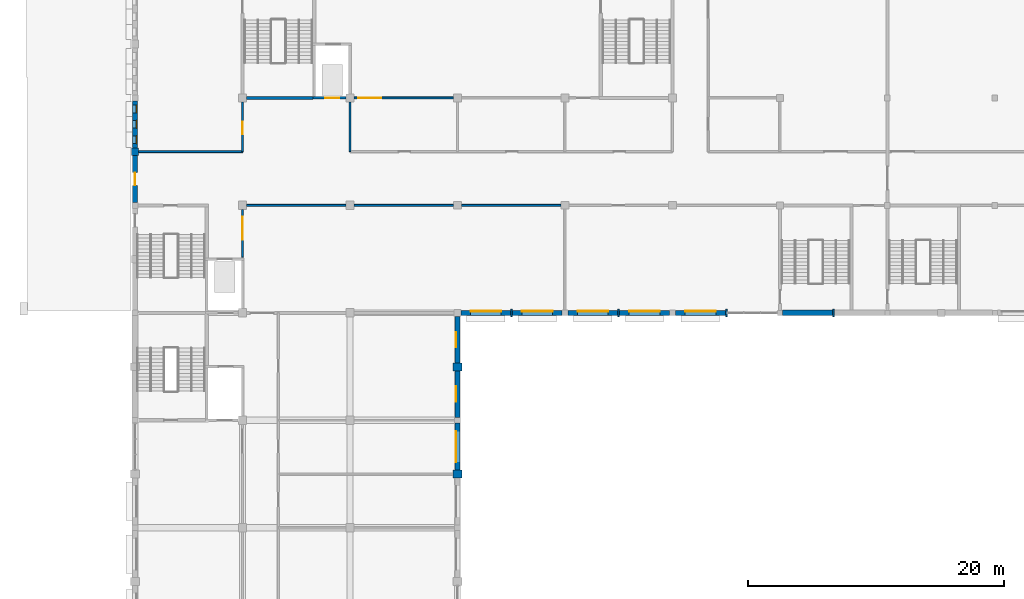
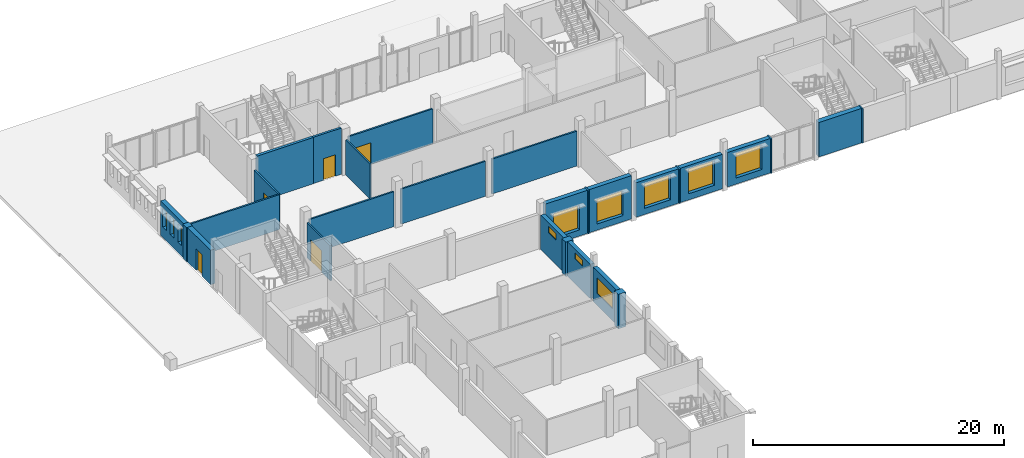
# One storey, part 79 of 101: 28 walls, 11 windows, 5 doors, 16 openings.
"""IFC4 building model written with IfcOpenShell, lengths in metres."""

from ifc_helpers import new_model, si_unit, direction, frame, frame_2d, origin, place, context, subcontext, project, spatial, rectangle, extrude, material, layer, layer_set, type_object, element, fill, save


model = new_model("IFC4")

# Units and contexts
model_context = context("Model", 3, precision=1e-05, world=origin(), true_north=direction((0.0, 1.0)))
body_context = subcontext(model_context, "Body", "Model", "MODEL_VIEW")
ifc_project = project(units=[si_unit("LENGTHUNIT", "METRE"), si_unit("AREAUNIT", "SQUARE_METRE"), si_unit("VOLUMEUNIT", "CUBIC_METRE"), si_unit("PLANEANGLEUNIT", "RADIAN"), si_unit("MASSUNIT", "GRAM", prefix="KILO")], contexts=[model_context])

# Site, building, storey
site_placement = place(None, origin())
site = spatial("IfcSite", under=ifc_project, at=site_placement, CompositionType="ELEMENT")
building_placement = place(site_placement, origin())
building = spatial("IfcBuilding", under=site, at=building_placement, Name="Fescue Hill Polytechnic", CompositionType="ELEMENT")
storey_placement = place(building_placement, frame((0.0, 0.0, 9.0)))
storey = spatial("IfcBuildingStorey", under=building, at=storey_placement, Name="L02", CompositionType="ELEMENT", Elevation=9.0)

# Walls
ifc_material_1 = material(Name="Clay brick masonry", Category="masonry")
ifc_layer_1 = layer(ifc_material_1, 0.550048828125)
ifc_layer_set_1 = layer_set([ifc_layer_1], Name="Clay brick masonry")
wall_type_1 = type_object("IfcWallType", Name="Brick pier 600x550", PredefinedType="SOLIDWALL", material=ifc_layer_set_1)
wall_1_placement = place(storey_placement, frame((0.0, 122.10009765625, 0.0), z_axis=(0.0, 0.0, 1.0), x_axis=(0.0, -1.0, 0.0)))
element("IfcWall", 1, at=wall_1_placement, inside=storey, type_object=wall_type_1, Name="PR-L02-V5-8", PredefinedType="SOLIDWALL", context=body_context, shape_type="SweptSolid", body=[
    extrude(rectangle(XDim=0.60009765625, YDim=0.550048828125, at=frame_2d((0.300048828125, 0.0))), origin(), (0.0, 0.0, 1.0), 3.35009765625),
])
ifc_material_2 = material(Name="Concrete 40 MPa", Category="concrete")
ifc_layer_2 = layer(ifc_material_2, 0.25)
ifc_layer_set_2 = layer_set([ifc_layer_2], Name="Concrete 40 MPa")
wall_type_2 = type_object("IfcWallType", Name="Core wall 250", PredefinedType="SHEAR", material=ifc_layer_set_2)
wall_2_placement = place(storey_placement, frame((8.72509765625, 126.0, 0.0), z_axis=(0.0, 0.0, 1.0), x_axis=(1.0, 0.0, 0.0)))
element("IfcWall", 2, at=wall_2_placement, inside=storey, type_object=wall_type_2, Name="CW-L02-ST-V5-3-11", PredefinedType="SHEAR", context=body_context, shape_type="SweptSolid", body=[
    extrude(rectangle(XDim=5.1748046875, YDim=0.25, at=frame_2d((2.58740234375, 0.0))), origin(), (0.0, 0.0, 1.0), 4.5),
])
ifc_material_3 = material(Name="Gypsum board partition")
ifc_layer_3 = layer(ifc_material_3, 0.14990234375)
ifc_layer_set_3 = layer_set([ifc_layer_3], Name="Gypsum board partition")
wall_type_3 = type_object("IfcWallType", Name="Corridor wall 150 EI 45", PredefinedType="PARTITIONING", material=ifc_layer_set_3)
wall_3_placement = place(storey_placement, frame((8.72509765625, 117.60009765625, 0.0), z_axis=(0.0, 0.0, 1.0), x_axis=(1.0, 0.0, 0.0)))
element("IfcWall", 3, at=wall_3_placement, inside=storey, type_object=wall_type_3, Name="IW-L02-053", PredefinedType="PARTITIONING", context=body_context, shape_type="SweptSolid", body=[
    extrude(rectangle(XDim=7.75, YDim=0.14990234375, at=frame_2d((3.875, 0.0))), origin(), (0.0, 0.0, 1.0), 3.39990234375),
])
wall_4_placement = place(storey_placement, frame((17.125, 117.60009765625, 0.0), z_axis=(0.0, 0.0, 1.0), x_axis=(1.0, 0.0, 0.0)))
element("IfcWall", 4, at=wall_4_placement, inside=storey, type_object=wall_type_3, Name="IW-L02-054", PredefinedType="PARTITIONING", context=body_context, shape_type="SweptSolid", body=[
    extrude(rectangle(XDim=7.77490234375, YDim=0.14990234375, at=frame_2d((3.887451171875, 0.0))), origin(), (0.0, 0.0, 1.0), 3.39990234375),
])
wall_5_placement = place(storey_placement, frame((25.5, 117.60009765625, 0.0), z_axis=(0.0, 0.0, 1.0), x_axis=(1.0, 0.0, 0.0)))
element("IfcWall", 5, at=wall_5_placement, inside=storey, type_object=wall_type_3, Name="IW-L02-055", PredefinedType="PARTITIONING", context=body_context, shape_type="SweptSolid", body=[
    extrude(rectangle(XDim=7.800048828125, YDim=0.14990234375, at=frame_2d((3.89990234375, 0.0))), origin(), (0.0, 0.0, 1.0), 3.39990234375),
])
wall_6_placement = place(storey_placement, frame((0.27490234375, 121.800048828125, 0.0), z_axis=(0.0, 0.0, 1.0), x_axis=(1.0, 0.0, 0.0)))
element("IfcWall", 6, at=wall_6_placement, inside=storey, type_object=wall_type_3, Name="IW-L02-066", PredefinedType="PARTITIONING", context=body_context, shape_type="SweptSolid", body=[
    extrude(rectangle(XDim=8.125, YDim=0.14990234375, at=frame_2d((4.0625, 0.0))), origin(), (0.0, 0.0, 1.0), 3.39990234375),
])
ifc_layer_4 = layer(ifc_material_2, 0.449951171875)
ifc_layer_set_4 = layer_set([ifc_layer_4], Name="Concrete 40 MPa")
wall_type_4 = type_object("IfcWallType", Name="Exterior wall board-marked concrete 450 load-bearing", PredefinedType="SOLIDWALL", material=ifc_layer_set_4)
wall_7_placement = place(storey_placement, frame((50.60009765625, 109.199951171875, 0.0), z_axis=(0.0, 0.0, 1.0), x_axis=(1.0, 0.0, 0.0)))
element("IfcWall", 7, at=wall_7_placement, inside=storey, type_object=wall_type_4, Name="EW-L02-V5-20", PredefinedType="SOLIDWALL", context=body_context, shape_type="SweptSolid", body=[
    extrude(rectangle(XDim=3.93994140625, YDim=0.449951171875, at=frame_2d((1.969970703125, 0.0))), origin(), (0.0, 0.0, 1.0), 3.35009765625),
])

# Wall, openings, windows
ifc_layer_5 = layer(ifc_material_1, 0.419921875)
ifc_layer_set_5 = layer_set([ifc_layer_5], Name="Clay brick masonry")
wall_type_5 = type_object("IfcWallType", Name="Exterior wall buff-red brick cavity 420", PredefinedType="SOLIDWALL", material=ifc_layer_set_5)
wall_8_placement = place(storey_placement, frame((0.0, 125.77490234375, 0.0), z_axis=(0.0, 0.0, 1.0), x_axis=(0.0, -1.0, 0.0)))
wall_8 = element("IfcWall", 8, at=wall_8_placement, inside=storey, type_object=wall_type_5, Name="EW-L02-V5-10", PredefinedType="SOLIDWALL", context=body_context, shape_type="SweptSolid", body=[
    extrude(rectangle(XDim=3.6748046875, YDim=0.419921875, at=frame_2d((1.83740234375, 0.0))), origin(), (0.0, 0.0, 1.0), 3.35009765625),
])
opening_1_placement = place(wall_8_placement, frame((0.33740234375, 0.0, 1.0)))
opening_1 = element("IfcOpeningElement", 9, at=opening_1_placement, cuts=wall_8, Name="Opening W6R", PredefinedType="OPENING", context=body_context, shape_type="SweptSolid", body=[
    extrude(rectangle(XDim=0.60009765625, YDim=1.800048828125, at=frame_2d((0.300048828125, 0.89990234375))), frame((0.0, 0.219970703125, 0.0), z_axis=(0.0, -1.0, 0.0), x_axis=(1.0, 0.0, 0.0)), (0.0, 0.0, 1.0), 0.43994140625),
])
opening_2_placement = place(wall_8_placement, frame((1.53759765625, 0.0, 1.0)))
opening_2 = element("IfcOpeningElement", 10, at=opening_2_placement, cuts=wall_8, Name="Opening W6R", PredefinedType="OPENING", context=body_context, shape_type="SweptSolid", body=[
    extrude(rectangle(XDim=0.60009765625, YDim=1.800048828125, at=frame_2d((0.300048828125, 0.89990234375))), frame((0.0, 0.219970703125, 0.0), z_axis=(0.0, -1.0, 0.0), x_axis=(1.0, 0.0, 0.0)), (0.0, 0.0, 1.0), 0.43994140625),
])
opening_3_placement = place(wall_8_placement, frame((2.737548828125, 0.0, 1.0)))
opening_3 = element("IfcOpeningElement", 11, at=opening_3_placement, cuts=wall_8, Name="Opening W6R", PredefinedType="OPENING", context=body_context, shape_type="SweptSolid", body=[
    extrude(rectangle(XDim=0.60009765625, YDim=1.800048828125, at=frame_2d((0.300048828125, 0.89990234375))), frame((0.0, 0.219970703125, 0.0), z_axis=(0.0, -1.0, 0.0), x_axis=(1.0, 0.0, 0.0)), (0.0, 0.0, 1.0), 0.43994140625),
])
ifc_material_4 = material(Name="Powder-coated aluminium and glass", Category="aluminium")
window_type_1 = type_object("IfcWindowType", Name="Window slot 600x1800", PartitioningType="SINGLE_PANEL", PredefinedType="WINDOW", material=ifc_material_4)
window_1_placement = place(opening_1_placement, origin())
window_1 = element("IfcWindow", 12, at=window_1_placement, inside=storey, type_object=window_type_1, Name="WN-L02-V5-7", OverallHeight=1.800048828125, OverallWidth=0.60009765625, PartitioningType="SINGLE_PANEL", PredefinedType="WINDOW", context=body_context, shape_type="SweptSolid", body=[
    extrude(rectangle(XDim=0.60009765625, YDim=1.800048828125, at=frame_2d((0.300048828125, 0.89990234375))), frame((0.0, 0.150146484375, 0.0), z_axis=(0.0, -1.0, 0.0), x_axis=(1.0, 0.0, 0.0)), (0.0, 0.0, 1.0), 0.06005859375),
])
fill(opening_1, window_1)
window_2_placement = place(opening_2_placement, origin())
window_2 = element("IfcWindow", 13, at=window_2_placement, inside=storey, type_object=window_type_1, Name="WN-L02-V5-8", OverallHeight=1.800048828125, OverallWidth=0.60009765625, PartitioningType="SINGLE_PANEL", PredefinedType="WINDOW", context=body_context, shape_type="SweptSolid", body=[
    extrude(rectangle(XDim=0.60009765625, YDim=1.800048828125, at=frame_2d((0.300048828125, 0.89990234375))), frame((0.0, 0.150146484375, 0.0), z_axis=(0.0, -1.0, 0.0), x_axis=(1.0, 0.0, 0.0)), (0.0, 0.0, 1.0), 0.06005859375),
])
fill(opening_2, window_2)
window_3_placement = place(opening_3_placement, origin())
window_3 = element("IfcWindow", 14, at=window_3_placement, inside=storey, type_object=window_type_1, Name="WN-L02-V5-9", OverallHeight=1.800048828125, OverallWidth=0.60009765625, PartitioningType="SINGLE_PANEL", PredefinedType="WINDOW", context=body_context, shape_type="SweptSolid", body=[
    extrude(rectangle(XDim=0.60009765625, YDim=1.800048828125, at=frame_2d((0.300048828125, 0.89990234375))), frame((0.0, 0.150146484375, 0.0), z_axis=(0.0, -1.0, 0.0), x_axis=(1.0, 0.0, 0.0)), (0.0, 0.0, 1.0), 0.06005859375),
])
fill(opening_3, window_3)

# Wall, opening, door
wall_9_placement = place(storey_placement, frame((0.0, 121.5, 0.0), z_axis=(0.0, 0.0, 1.0), x_axis=(0.0, -1.0, 0.0)))
wall_9 = element("IfcWall", 15, at=wall_9_placement, inside=storey, type_object=wall_type_5, Name="EW-L02-V5-11", PredefinedType="SOLIDWALL", context=body_context, shape_type="SweptSolid", body=[
    extrude(rectangle(XDim=3.675048828125, YDim=0.419921875, at=frame_2d((1.83740234375, 0.0))), origin(), (0.0, 0.0, 1.0), 3.35009765625),
])
opening_4_placement = place(wall_9_placement, frame((1.33740234375, 0.0, 0.0)))
opening_4 = element("IfcOpeningElement", 16, at=opening_4_placement, cuts=wall_9, Name="Opening D2004", PredefinedType="OPENING", context=body_context, shape_type="SweptSolid", body=[
    extrude(rectangle(XDim=1.0, YDim=2.10009765625, at=frame_2d((0.5, 1.050048828125))), frame((0.0, 0.219970703125, 0.0), z_axis=(0.0, -1.0, 0.0), x_axis=(1.0, 0.0, 0.0)), (0.0, 0.0, 1.0), 0.43994140625),
])
ifc_material_5 = material(Name="Hollow metal")
door_type_1 = type_object("IfcDoorType", Name="Door exit single 1000x2100 fire rated", OperationType="SINGLE_SWING_LEFT", PredefinedType="DOOR", material=ifc_material_5)
door_1_placement = place(opening_4_placement, origin())
door_1 = element("IfcDoor", 17, at=door_1_placement, inside=storey, type_object=door_type_1, Name="Door D2004", OperationType="SINGLE_SWING_LEFT", OverallHeight=2.10009765625, OverallWidth=1.0, PredefinedType="DOOR", context=body_context, shape_type="SweptSolid", body=[
    extrude(rectangle(XDim=1.0, YDim=2.10009765625, at=frame_2d((0.5, 1.050048828125))), frame((0.0, 0.02490234375, 0.0), z_axis=(0.0, -1.0, 0.0), x_axis=(1.0, 0.0, 0.0)), (0.0, 0.0, 1.0), 0.050048828125),
])
fill(opening_4, door_1)

# Wall, opening, window
ifc_layer_6 = layer(ifc_material_1, 0.39990234375)
ifc_layer_set_6 = layer_set([ifc_layer_6], Name="Clay brick masonry")
wall_type_6 = type_object("IfcWallType", Name="Exterior wall clinker brick cavity 400", PredefinedType="SOLIDWALL", material=ifc_layer_set_6)
wall_10_placement = place(storey_placement, frame((25.47509765625, 109.199951171875, 0.0), z_axis=(0.0, 0.0, 1.0), x_axis=(1.0, 0.0, 0.0)))
wall_10 = element("IfcWall", 18, at=wall_10_placement, inside=storey, type_object=wall_type_6, Name="EW-L02-V5-14", PredefinedType="SOLIDWALL", context=body_context, shape_type="SweptSolid", body=[
    extrude(rectangle(XDim=3.889892578125, YDim=0.39990234375, at=frame_2d((1.94482421875, 0.0))), origin(), (0.0, 0.0, 1.0), 4.199951171875),
])
opening_5_placement = place(wall_10_placement, frame((0.7451171875, 0.0, 0.60009765625)))
opening_5 = element("IfcOpeningElement", 19, at=opening_5_placement, cuts=wall_10, Name="Opening W4", PredefinedType="OPENING", context=body_context, shape_type="SweptSolid", body=[
    extrude(rectangle(XDim=2.39990234375, YDim=2.39990234375, at=frame_2d((1.199951171875, 1.199951171875))), frame((0.0, 0.2099609375, 0.0), z_axis=(0.0, -1.0, 0.0), x_axis=(1.0, 0.0, 0.0)), (0.0, 0.0, 1.0), 0.419921875),
])
window_type_2 = type_object("IfcWindowType", Name="Window library tall 2400x2400", PartitioningType="DOUBLE_PANEL_VERTICAL", PredefinedType="WINDOW", material=ifc_material_4)
window_4_placement = place(opening_5_placement, origin())
window_4 = element("IfcWindow", 20, at=window_4_placement, inside=storey, type_object=window_type_2, Name="WN-L02-V5-10", OverallHeight=2.39990234375, OverallWidth=2.39990234375, PartitioningType="SINGLE_PANEL", PredefinedType="WINDOW", context=body_context, shape_type="SweptSolid", body=[
    extrude(rectangle(XDim=2.39990234375, YDim=2.39990234375, at=frame_2d((1.199951171875, 1.199951171875))), frame((0.0, 0.159912109375, 0.0), z_axis=(0.0, -1.0, 0.0), x_axis=(1.0, 0.0, 0.0)), (0.0, 0.0, 1.0), 0.06005859375),
])
fill(opening_5, window_4)

wall_11_placement = place(storey_placement, frame((29.485107421875, 109.199951171875, 0.0), z_axis=(0.0, 0.0, 1.0), x_axis=(1.0, 0.0, 0.0)))
wall_11 = element("IfcWall", 21, at=wall_11_placement, inside=storey, type_object=wall_type_6, Name="EW-L02-V5-15", PredefinedType="SOLIDWALL", context=body_context, shape_type="SweptSolid", body=[
    extrude(rectangle(XDim=3.889892578125, YDim=0.39990234375, at=frame_2d((1.94482421875, 0.0))), origin(), (0.0, 0.0, 1.0), 4.199951171875),
])
opening_6_placement = place(wall_11_placement, frame((0.7451171875, 0.0, 0.60009765625)))
opening_6 = element("IfcOpeningElement", 22, at=opening_6_placement, cuts=wall_11, Name="Opening W4", PredefinedType="OPENING", context=body_context, shape_type="SweptSolid", body=[
    extrude(rectangle(XDim=2.39990234375, YDim=2.39990234375, at=frame_2d((1.199951171875, 1.199951171875))), frame((0.0, 0.2099609375, 0.0), z_axis=(0.0, -1.0, 0.0), x_axis=(1.0, 0.0, 0.0)), (0.0, 0.0, 1.0), 0.419921875),
])
window_5_placement = place(opening_6_placement, origin())
window_5 = element("IfcWindow", 23, at=window_5_placement, inside=storey, type_object=window_type_2, Name="WN-L02-V5-11", OverallHeight=2.39990234375, OverallWidth=2.39990234375, PartitioningType="SINGLE_PANEL", PredefinedType="WINDOW", context=body_context, shape_type="SweptSolid", body=[
    extrude(rectangle(XDim=2.39990234375, YDim=2.39990234375, at=frame_2d((1.199951171875, 1.199951171875))), frame((0.0, 0.159912109375, 0.0), z_axis=(0.0, -1.0, 0.0), x_axis=(1.0, 0.0, 0.0)), (0.0, 0.0, 1.0), 0.06005859375),
])
fill(opening_6, window_5)

wall_12_placement = place(storey_placement, frame((33.824951171875, 109.199951171875, 0.0), z_axis=(0.0, 0.0, 1.0), x_axis=(1.0, 0.0, 0.0)))
wall_12 = element("IfcWall", 24, at=wall_12_placement, inside=storey, type_object=wall_type_6, Name="EW-L02-V5-16", PredefinedType="SOLIDWALL", context=body_context, shape_type="SweptSolid", body=[
    extrude(rectangle(XDim=3.9150390625, YDim=0.39990234375, at=frame_2d((1.95751953125, 0.0))), origin(), (0.0, 0.0, 1.0), 3.35009765625),
])
opening_7_placement = place(wall_12_placement, frame((0.757568359375, 0.0, 0.60009765625)))
opening_7 = element("IfcOpeningElement", 25, at=opening_7_placement, cuts=wall_12, Name="Opening W4", PredefinedType="OPENING", context=body_context, shape_type="SweptSolid", body=[
    extrude(rectangle(XDim=2.39990234375, YDim=2.39990234375, at=frame_2d((1.199951171875, 1.199951171875))), frame((0.0, 0.2099609375, 0.0), z_axis=(0.0, -1.0, 0.0), x_axis=(1.0, 0.0, 0.0)), (0.0, 0.0, 1.0), 0.419921875),
])
window_6_placement = place(opening_7_placement, origin())
window_6 = element("IfcWindow", 26, at=window_6_placement, inside=storey, type_object=window_type_2, Name="WN-L02-V5-12", OverallHeight=2.39990234375, OverallWidth=2.39990234375, PartitioningType="SINGLE_PANEL", PredefinedType="WINDOW", context=body_context, shape_type="SweptSolid", body=[
    extrude(rectangle(XDim=2.39990234375, YDim=2.39990234375, at=frame_2d((1.199951171875, 1.199951171875))), frame((0.0, 0.159912109375, 0.0), z_axis=(0.0, -1.0, 0.0), x_axis=(1.0, 0.0, 0.0)), (0.0, 0.0, 1.0), 0.06005859375),
])
fill(opening_7, window_6)

wall_13_placement = place(storey_placement, frame((37.860107421875, 109.199951171875, 0.0), z_axis=(0.0, 0.0, 1.0), x_axis=(1.0, 0.0, 0.0)))
wall_13 = element("IfcWall", 27, at=wall_13_placement, inside=storey, type_object=wall_type_6, Name="EW-L02-V5-17", PredefinedType="SOLIDWALL", context=body_context, shape_type="SweptSolid", body=[
    extrude(rectangle(XDim=3.914794921875, YDim=0.39990234375, at=frame_2d((1.95751953125, 0.0))), origin(), (0.0, 0.0, 1.0), 3.35009765625),
])
opening_8_placement = place(wall_13_placement, frame((0.757568359375, 0.0, 0.60009765625)))
opening_8 = element("IfcOpeningElement", 28, at=opening_8_placement, cuts=wall_13, Name="Opening W4", PredefinedType="OPENING", context=body_context, shape_type="SweptSolid", body=[
    extrude(rectangle(XDim=2.39990234375, YDim=2.39990234375, at=frame_2d((1.199951171875, 1.199951171875))), frame((0.0, 0.2099609375, 0.0), z_axis=(0.0, -1.0, 0.0), x_axis=(1.0, 0.0, 0.0)), (0.0, 0.0, 1.0), 0.419921875),
])
window_7_placement = place(opening_8_placement, origin())
window_7 = element("IfcWindow", 29, at=window_7_placement, inside=storey, type_object=window_type_2, Name="WN-L02-V5-13", OverallHeight=2.39990234375, OverallWidth=2.39990234375, PartitioningType="SINGLE_PANEL", PredefinedType="WINDOW", context=body_context, shape_type="SweptSolid", body=[
    extrude(rectangle(XDim=2.39990234375, YDim=2.39990234375, at=frame_2d((1.199951171875, 1.199951171875))), frame((0.0, 0.159912109375, 0.0), z_axis=(0.0, -1.0, 0.0), x_axis=(1.0, 0.0, 0.0)), (0.0, 0.0, 1.0), 0.06005859375),
])
fill(opening_8, window_7)

wall_14_placement = place(storey_placement, frame((42.22509765625, 109.199951171875, 0.0), z_axis=(0.0, 0.0, 1.0), x_axis=(1.0, 0.0, 0.0)))
wall_14 = element("IfcWall", 30, at=wall_14_placement, inside=storey, type_object=wall_type_6, Name="EW-L02-V5-18", PredefinedType="SOLIDWALL", context=body_context, shape_type="SweptSolid", body=[
    extrude(rectangle(XDim=3.927490234375, YDim=0.39990234375, at=frame_2d((1.9638671875, 0.0))), origin(), (0.0, 0.0, 1.0), 3.35009765625),
])
opening_9_placement = place(wall_14_placement, frame((0.763671875, 0.0, 0.60009765625)))
opening_9 = element("IfcOpeningElement", 31, at=opening_9_placement, cuts=wall_14, Name="Opening W4", PredefinedType="OPENING", context=body_context, shape_type="SweptSolid", body=[
    extrude(rectangle(XDim=2.39990234375, YDim=2.39990234375, at=frame_2d((1.199951171875, 1.199951171875))), frame((0.0, 0.2099609375, 0.0), z_axis=(0.0, -1.0, 0.0), x_axis=(1.0, 0.0, 0.0)), (0.0, 0.0, 1.0), 0.419921875),
])
window_8_placement = place(opening_9_placement, origin())
window_8 = element("IfcWindow", 32, at=window_8_placement, inside=storey, type_object=window_type_2, Name="WN-L02-V5-14", OverallHeight=2.39990234375, OverallWidth=2.39990234375, PartitioningType="SINGLE_PANEL", PredefinedType="WINDOW", context=body_context, shape_type="SweptSolid", body=[
    extrude(rectangle(XDim=2.39990234375, YDim=2.39990234375, at=frame_2d((1.199951171875, 1.199951171875))), frame((0.0, 0.159912109375, 0.0), z_axis=(0.0, -1.0, 0.0), x_axis=(1.0, 0.0, 0.0)), (0.0, 0.0, 1.0), 0.06005859375),
])
fill(opening_9, window_8)

ifc_material_6 = material(Name="Terracotta rainscreen on concrete block", Category="masonry")
ifc_layer_7 = layer(ifc_material_6, 0.3798828125)
ifc_layer_set_7 = layer_set([ifc_layer_7], Name="Terracotta rainscreen on concrete block")
wall_type_7 = type_object("IfcWallType", Name="Exterior wall rainscreen terracotta on blockwork 380", PredefinedType="SOLIDWALL", material=ifc_layer_set_7)
wall_15_placement = place(storey_placement, frame((25.199951171875, 96.89990234375, 0.0), z_axis=(0.0, 0.0, 1.0), x_axis=(0.0, 1.0, 0.0)))
wall_15 = element("IfcWall", 33, at=wall_15_placement, inside=storey, type_object=wall_type_7, Name="EW-L02-V4-12", PredefinedType="SOLIDWALL", context=body_context, shape_type="SweptSolid", body=[
    extrude(rectangle(XDim=3.675048828125, YDim=0.3798828125, at=frame_2d((1.83740234375, 0.0))), origin(), (0.0, 0.0, 1.0), 3.35009765625),
])
opening_10_placement = place(wall_15_placement, frame((0.637451171875, 0.0, 1.199951171875)))
opening_10 = element("IfcOpeningElement", 34, at=opening_10_placement, cuts=wall_15, Name="Opening W3", PredefinedType="OPENING", context=body_context, shape_type="SweptSolid", body=[
    extrude(rectangle(XDim=2.39990234375, YDim=1.5, at=frame_2d((1.199951171875, 0.75))), frame((0.0, 0.199951171875, 0.0), z_axis=(0.0, -1.0, 0.0), x_axis=(1.0, 0.0, 0.0)), (0.0, 0.0, 1.0), 0.39990234375),
])
window_type_3 = type_object("IfcWindowType", Name="Window laboratory strip 2400x1500", PartitioningType="TRIPLE_PANEL_VERTICAL", PredefinedType="WINDOW", material=ifc_material_4)
window_9_placement = place(opening_10_placement, origin())
window_9 = element("IfcWindow", 35, at=window_9_placement, inside=storey, type_object=window_type_3, Name="WN-L02-V4-8", OverallHeight=1.5, OverallWidth=2.39990234375, PartitioningType="SINGLE_PANEL", PredefinedType="WINDOW", context=body_context, shape_type="SweptSolid", body=[
    extrude(rectangle(XDim=2.39990234375, YDim=1.5, at=frame_2d((1.199951171875, 0.75))), frame((0.0, 0.150146484375, 0.0), z_axis=(0.0, -1.0, 0.0), x_axis=(1.0, 0.0, 0.0)), (0.0, 0.0, 1.0), 0.06005859375),
])
fill(opening_10, window_9)

wall_16_placement = place(storey_placement, frame((25.199951171875, 101.02490234375, 0.0), z_axis=(0.0, 0.0, 1.0), x_axis=(0.0, 1.0, 0.0)))
wall_16 = element("IfcWall", 36, at=wall_16_placement, inside=storey, type_object=wall_type_7, Name="EW-L02-V4-13", PredefinedType="SOLIDWALL", context=body_context, shape_type="SweptSolid", body=[
    extrude(rectangle(XDim=3.650146484375, YDim=0.3798828125, at=frame_2d((1.8251953125, 0.0))), origin(), (0.0, 0.0, 1.0), 3.35009765625),
])
opening_11_placement = place(wall_16_placement, frame((1.22509765625, 0.0, 2.39990234375)))
opening_11 = element("IfcOpeningElement", 37, at=opening_11_placement, cuts=wall_16, Name="Opening W12", PredefinedType="OPENING", context=body_context, shape_type="SweptSolid", body=[
    extrude(rectangle(XDim=1.199951171875, YDim=0.60009765625, at=frame_2d((0.60009765625, 0.300048828125))), frame((0.0, 0.199951171875, 0.0), z_axis=(0.0, -1.0, 0.0), x_axis=(1.0, 0.0, 0.0)), (0.0, 0.0, 1.0), 0.39990234375),
])
window_type_4 = type_object("IfcWindowType", Name="Window plant and store high-level 1200x600", PartitioningType="SINGLE_PANEL", PredefinedType="WINDOW", material=ifc_material_4)
window_10_placement = place(opening_11_placement, origin())
window_10 = element("IfcWindow", 38, at=window_10_placement, inside=storey, type_object=window_type_4, Name="WN-L02-V4-9", OverallHeight=0.60009765625, OverallWidth=1.199951171875, PartitioningType="SINGLE_PANEL", PredefinedType="WINDOW", context=body_context, shape_type="SweptSolid", body=[
    extrude(rectangle(XDim=1.199951171875, YDim=0.60009765625, at=frame_2d((0.60009765625, 0.300048828125))), frame((0.0, 0.150146484375, 0.0), z_axis=(0.0, -1.0, 0.0), x_axis=(1.0, 0.0, 0.0)), (0.0, 0.0, 1.0), 0.06005859375),
])
fill(opening_11, window_10)

wall_17_placement = place(storey_placement, frame((25.199951171875, 105.27490234375, 0.0), z_axis=(0.0, 0.0, 1.0), x_axis=(0.0, 1.0, 0.0)))
wall_17 = element("IfcWall", 39, at=wall_17_placement, inside=storey, type_object=wall_type_7, Name="EW-L02-V4-14", PredefinedType="SOLIDWALL", context=body_context, shape_type="SweptSolid", body=[
    extrude(rectangle(XDim=3.650146484375, YDim=0.3798828125, at=frame_2d((1.8251953125, 0.0))), origin(), (0.0, 0.0, 1.0), 3.35009765625),
])
opening_12_placement = place(wall_17_placement, frame((1.22509765625, 0.0, 2.39990234375)))
opening_12 = element("IfcOpeningElement", 40, at=opening_12_placement, cuts=wall_17, Name="Opening W12", PredefinedType="OPENING", context=body_context, shape_type="SweptSolid", body=[
    extrude(rectangle(XDim=1.199951171875, YDim=0.60009765625, at=frame_2d((0.60009765625, 0.300048828125))), frame((0.0, 0.199951171875, 0.0), z_axis=(0.0, -1.0, 0.0), x_axis=(1.0, 0.0, 0.0)), (0.0, 0.0, 1.0), 0.39990234375),
])
window_11_placement = place(opening_12_placement, origin())
window_11 = element("IfcWindow", 41, at=window_11_placement, inside=storey, type_object=window_type_4, Name="WN-L02-V4-10", OverallHeight=0.60009765625, OverallWidth=1.199951171875, PartitioningType="SINGLE_PANEL", PredefinedType="WINDOW", context=body_context, shape_type="SweptSolid", body=[
    extrude(rectangle(XDim=1.199951171875, YDim=0.60009765625, at=frame_2d((0.60009765625, 0.300048828125))), frame((0.0, 0.150146484375, 0.0), z_axis=(0.0, -1.0, 0.0), x_axis=(1.0, 0.0, 0.0)), (0.0, 0.0, 1.0), 0.06005859375),
])
fill(opening_12, window_11)

# Walls
ifc_layer_8 = layer(ifc_material_2, 0.699951171875)
ifc_layer_set_8 = layer_set([ifc_layer_8], Name="Concrete 40 MPa")
wall_type_8 = type_object("IfcWallType", Name="Fin wall board-marked 600x700", PredefinedType="SOLIDWALL", material=ifc_layer_set_8)
for number, where, z_axis, x_axis, name in (
    (42, (25.199951171875, 96.300048828125, 0.0), (0.0, 0.0, 1.0), (0.0, 1.0, 0.0), "PR-L02-V4-6"),
    (43, (25.199951171875, 104.675048828125, 0.0), (0.0, 0.0, 1.0), (0.0, 1.0, 0.0), "PR-L02-V4-7"),
):
    element("IfcWall", number, at=place(storey_placement, frame(where, z_axis=z_axis, x_axis=x_axis)), inside=storey, type_object=wall_type_8, Name=name, PredefinedType="SOLIDWALL", context=body_context, shape_type="SweptSolid", body=[
        extrude(rectangle(XDim=0.599853515625, YDim=0.699951171875, at=frame_2d((0.2998046875, 0.0))), origin(), (0.0, 0.0, 1.0), 3.35009765625),
    ])

# Wall, opening, door
ifc_layer_9 = layer(ifc_material_2, 0.199951171875)
ifc_layer_set_9 = layer_set([ifc_layer_9], Name="Concrete 40 MPa")
wall_type_9 = type_object("IfcWallType", Name="Lift shaft wall 200", PredefinedType="SHEAR", material=ifc_layer_set_9)
wall_18_placement = place(storey_placement, frame((13.89990234375, 126.0, 0.0), z_axis=(0.0, 0.0, 1.0), x_axis=(1.0, 0.0, 0.0)))
wall_18 = element("IfcWall", 44, at=wall_18_placement, inside=storey, type_object=wall_type_9, Name="CW-L02-LF-V5-2-11", PredefinedType="SHEAR", context=body_context, shape_type="SweptSolid", body=[
    extrude(rectangle(XDim=2.5751953125, YDim=0.199951171875, at=frame_2d((1.28759765625, 0.0))), origin(), (0.0, 0.0, 1.0), 4.5),
])
opening_13_placement = place(wall_18_placement, frame((0.949951171875, 0.0, 0.0)))
opening_13 = element("IfcOpeningElement", 45, at=opening_13_placement, cuts=wall_18, Name="Opening LD7-L02", PredefinedType="OPENING", context=body_context, shape_type="SweptSolid", body=[
    extrude(rectangle(XDim=1.10009765625, YDim=2.10009765625, at=frame_2d((0.550048828125, 1.050048828125))), frame((0.0, 0.10986328125, 0.0), z_axis=(0.0, -1.0, 0.0), x_axis=(1.0, 0.0, 0.0)), (0.0, 0.0, 1.0), 0.219970703125),
])
ifc_material_7 = material(Name="Stainless steel", Category="steel")
door_type_2 = type_object("IfcDoorType", Name="Lift landing door sliding 1100x2100", OperationType="SLIDING_TO_LEFT", PredefinedType="DOOR", material=ifc_material_7)
door_2_placement = place(opening_13_placement, origin())
door_2 = element("IfcDoor", 46, at=door_2_placement, inside=storey, type_object=door_type_2, Name="L02 LF-V5-2 lift landing door", OperationType="SLIDING_TO_LEFT", OverallHeight=2.10009765625, OverallWidth=1.10009765625, PredefinedType="DOOR", context=body_context, shape_type="SweptSolid", body=[
    extrude(rectangle(XDim=1.10009765625, YDim=2.10009765625, at=frame_2d((0.550048828125, 1.050048828125))), frame((0.0, 0.02490234375, 0.0), z_axis=(0.0, -1.0, 0.0), x_axis=(1.0, 0.0, 0.0)), (0.0, 0.0, 1.0), 0.050048828125),
])
fill(opening_13, door_2)

ifc_layer_10 = layer(ifc_material_3, 0.14990234375)
ifc_layer_set_10 = layer_set([ifc_layer_10], Name="Gypsum board partition")
wall_type_10 = type_object("IfcWallType", Name="Lobby wall 150 EI 60", PredefinedType="PARTITIONING", material=ifc_layer_set_10)
wall_19_placement = place(storey_placement, frame((8.39990234375, 113.550048828125, 0.0), z_axis=(0.0, 0.0, 1.0), x_axis=(0.0, 1.0, 0.0)))
wall_19 = element("IfcWall", 47, at=wall_19_placement, inside=storey, type_object=wall_type_10, Name="IW-L02-080", PredefinedType="PARTITIONING", context=body_context, shape_type="SweptSolid", body=[
    extrude(rectangle(XDim=3.724853515625, YDim=0.14990234375, at=frame_2d((1.8623046875, 0.0))), origin(), (0.0, 0.0, 1.0), 3.39990234375),
])
opening_14_placement = place(wall_19_placement, frame((1.35009765625, 0.0, 0.0)))
opening_14 = element("IfcOpeningElement", 48, at=opening_14_placement, cuts=wall_19, Name="Opening D2052", PredefinedType="OPENING", context=body_context, shape_type="SweptSolid", body=[
    extrude(rectangle(XDim=1.800048828125, YDim=2.10009765625, at=frame_2d((0.89990234375, 1.050048828125))), frame((0.0, 0.0849609375, 0.0), z_axis=(0.0, -1.0, 0.0), x_axis=(1.0, 0.0, 0.0)), (0.0, 0.0, 1.0), 0.169921875),
])
ifc_material_8 = material(Name="Steel", Category="steel")
door_type_3 = type_object("IfcDoorType", Name="Door double swing 1800x2100 FD60", OperationType="DOUBLE_DOOR_SINGLE_SWING", PredefinedType="DOOR", material=ifc_material_8)
door_3_placement = place(opening_14_placement, origin())
door_3 = element("IfcDoor", 49, at=door_3_placement, inside=storey, type_object=door_type_3, Name="Door D2052", OperationType="DOUBLE_DOOR_SINGLE_SWING", OverallHeight=2.10009765625, OverallWidth=1.800048828125, PredefinedType="DOOR", context=body_context, shape_type="SweptSolid", body=[
    extrude(rectangle(XDim=1.800048828125, YDim=2.10009765625, at=frame_2d((0.89990234375, 1.050048828125))), frame((0.0, 0.02490234375, 0.0), z_axis=(0.0, -1.0, 0.0), x_axis=(1.0, 0.0, 0.0)), (0.0, 0.0, 1.0), 0.050048828125),
])
fill(opening_14, door_3)

wall_20_placement = place(storey_placement, frame((8.39990234375, 121.800048828125, 0.0), z_axis=(0.0, 0.0, 1.0), x_axis=(0.0, 1.0, 0.0)))
wall_20 = element("IfcWall", 50, at=wall_20_placement, inside=storey, type_object=wall_type_10, Name="IW-L02-081", PredefinedType="PARTITIONING", context=body_context, shape_type="SweptSolid", body=[
    extrude(rectangle(XDim=3.875, YDim=0.14990234375, at=frame_2d((1.9375, 0.0))), origin(), (0.0, 0.0, 1.0), 3.39990234375),
])
opening_15_placement = place(wall_20_placement, frame((1.35009765625, 0.0, 0.0)))
opening_15 = element("IfcOpeningElement", 51, at=opening_15_placement, cuts=wall_20, Name="Opening D2060", PredefinedType="OPENING", context=body_context, shape_type="SweptSolid", body=[
    extrude(rectangle(XDim=1.0, YDim=2.10009765625, at=frame_2d((0.5, 1.050048828125))), frame((0.0, 0.0849609375, 0.0), z_axis=(0.0, -1.0, 0.0), x_axis=(1.0, 0.0, 0.0)), (0.0, 0.0, 1.0), 0.169921875),
])
door_type_4 = type_object("IfcDoorType", Name="Door single swing 1000x2100 FD60", OperationType="SINGLE_SWING_LEFT", PredefinedType="DOOR", material=ifc_material_8)
door_4_placement = place(opening_15_placement, origin())
door_4 = element("IfcDoor", 52, at=door_4_placement, inside=storey, type_object=door_type_4, Name="Door D2060", OperationType="SINGLE_SWING_LEFT", OverallHeight=2.10009765625, OverallWidth=1.0, PredefinedType="DOOR", context=body_context, shape_type="SweptSolid", body=[
    extrude(rectangle(XDim=1.0, YDim=2.10009765625, at=frame_2d((0.5, 1.050048828125))), frame((0.0, 0.02490234375, 0.0), z_axis=(0.0, -1.0, 0.0), x_axis=(1.0, 0.0, 0.0)), (0.0, 0.0, 1.0), 0.050048828125),
])
fill(opening_15, door_4)

# Wall
wall_21_placement = place(storey_placement, frame((16.800048828125, 121.800048828125, 0.0), z_axis=(0.0, 0.0, 1.0), x_axis=(0.0, 1.0, 0.0)))
element("IfcWall", 53, at=wall_21_placement, inside=storey, type_object=wall_type_10, Name="IW-L02-088", PredefinedType="PARTITIONING", context=body_context, shape_type="SweptSolid", body=[
    extrude(rectangle(XDim=3.875, YDim=0.14990234375, at=frame_2d((1.9375, 0.0))), origin(), (0.0, 0.0, 1.0), 3.39990234375),
])

# Wall, opening, door
ifc_layer_11 = layer(ifc_material_3, 0.14990234375)
ifc_layer_set_11 = layer_set([ifc_layer_11], Name="Gypsum board partition")
wall_type_11 = type_object("IfcWallType", Name="Partition stud 150 acoustic", PredefinedType="PARTITIONING", material=ifc_layer_set_11)
wall_22_placement = place(storey_placement, frame((17.125, 126.0, 0.0), z_axis=(0.0, 0.0, 1.0), x_axis=(1.0, 0.0, 0.0)))
wall_22 = element("IfcWall", 54, at=wall_22_placement, inside=storey, type_object=wall_type_11, Name="IW-L02-072", PredefinedType="PARTITIONING", context=body_context, shape_type="SweptSolid", body=[
    extrude(rectangle(XDim=7.77490234375, YDim=0.14990234375, at=frame_2d((3.887451171875, 0.0))), origin(), (0.0, 0.0, 1.0), 3.39990234375),
])
opening_16_placement = place(wall_22_placement, frame((0.300048828125, 0.0, 0.0)))
opening_16 = element("IfcOpeningElement", 55, at=opening_16_placement, cuts=wall_22, Name="Opening D2059", PredefinedType="OPENING", context=body_context, shape_type="SweptSolid", body=[
    extrude(rectangle(XDim=1.800048828125, YDim=2.10009765625, at=frame_2d((0.89990234375, 1.050048828125))), frame((0.0, 0.0849609375, 0.0), z_axis=(0.0, -1.0, 0.0), x_axis=(1.0, 0.0, 0.0)), (0.0, 0.0, 1.0), 0.169921875),
])
ifc_material_9 = material(Name="Timber", Category="wood")
door_type_5 = type_object("IfcDoorType", Name="Door double swing 1800x2100", OperationType="DOUBLE_DOOR_SINGLE_SWING", PredefinedType="DOOR", material=ifc_material_9)
door_5_placement = place(opening_16_placement, origin())
door_5 = element("IfcDoor", 56, at=door_5_placement, inside=storey, type_object=door_type_5, Name="Door D2059", OperationType="DOUBLE_DOOR_SINGLE_SWING", OverallHeight=2.10009765625, OverallWidth=1.800048828125, PredefinedType="DOOR", context=body_context, shape_type="SweptSolid", body=[
    extrude(rectangle(XDim=1.800048828125, YDim=2.10009765625, at=frame_2d((0.89990234375, 1.050048828125))), frame((0.0, 0.02490234375, 0.0), z_axis=(0.0, -1.0, 0.0), x_axis=(1.0, 0.0, 0.0)), (0.0, 0.0, 1.0), 0.050048828125),
])
fill(opening_16, door_5)

# Walls
ifc_material_10 = material(Name="Glulam 24f-EX", Category="wood")
ifc_layer_12 = layer(ifc_material_10, 0.60009765625)
ifc_layer_set_12 = layer_set([ifc_layer_12], Name="Glulam 24f-EX")
wall_type_12 = type_object("IfcWallType", Name="Timber fin 120x600", PredefinedType="SOLIDWALL", material=ifc_layer_set_12)
wall_23_placement = place(storey_placement, frame((29.364990234375, 109.199951171875, 0.0), z_axis=(0.0, 0.0, 1.0), x_axis=(1.0, 0.0, 0.0)))
element("IfcWall", 57, at=wall_23_placement, inside=storey, type_object=wall_type_12, Name="PR-L02-V5-10", PredefinedType="SOLIDWALL", context=body_context, shape_type="SweptSolid", body=[
    extrude(rectangle(XDim=0.1201171875, YDim=0.60009765625, at=frame_2d((0.06005859375, 0.0))), origin(), (0.0, 0.0, 1.0), 4.199951171875),
])
wall_24_placement = place(storey_placement, frame((37.739990234375, 109.199951171875, 0.0), z_axis=(0.0, 0.0, 1.0), x_axis=(1.0, 0.0, 0.0)))
element("IfcWall", 58, at=wall_24_placement, inside=storey, type_object=wall_type_12, Name="PR-L02-V5-11", PredefinedType="SOLIDWALL", context=body_context, shape_type="SweptSolid", body=[
    extrude(rectangle(XDim=0.1201171875, YDim=0.60009765625, at=frame_2d((0.06005859375, 0.0))), origin(), (0.0, 0.0, 1.0), 3.35009765625),
])
for number, where, z_axis, x_axis, name in (
    (59, (46.152587890625, 109.199951171875, 0.0), (0.0, 0.0, 1.0), (1.0, 0.0, 0.0), "PR-L02-V5-12"),
    (60, (54.5400390625, 109.199951171875, 0.0), (0.0, 0.0, 1.0), (1.0, 0.0, 0.0), "PR-L02-V5-13"),
):
    element("IfcWall", number, at=place(storey_placement, frame(where, z_axis=z_axis, x_axis=x_axis)), inside=storey, type_object=wall_type_12, Name=name, PredefinedType="SOLIDWALL", context=body_context, shape_type="SweptSolid", body=[
        extrude(rectangle(XDim=0.119873046875, YDim=0.60009765625, at=frame_2d((0.06005859375, 0.0))), origin(), (0.0, 0.0, 1.0), 3.35009765625),
    ])

save(model, "model.ifc")
